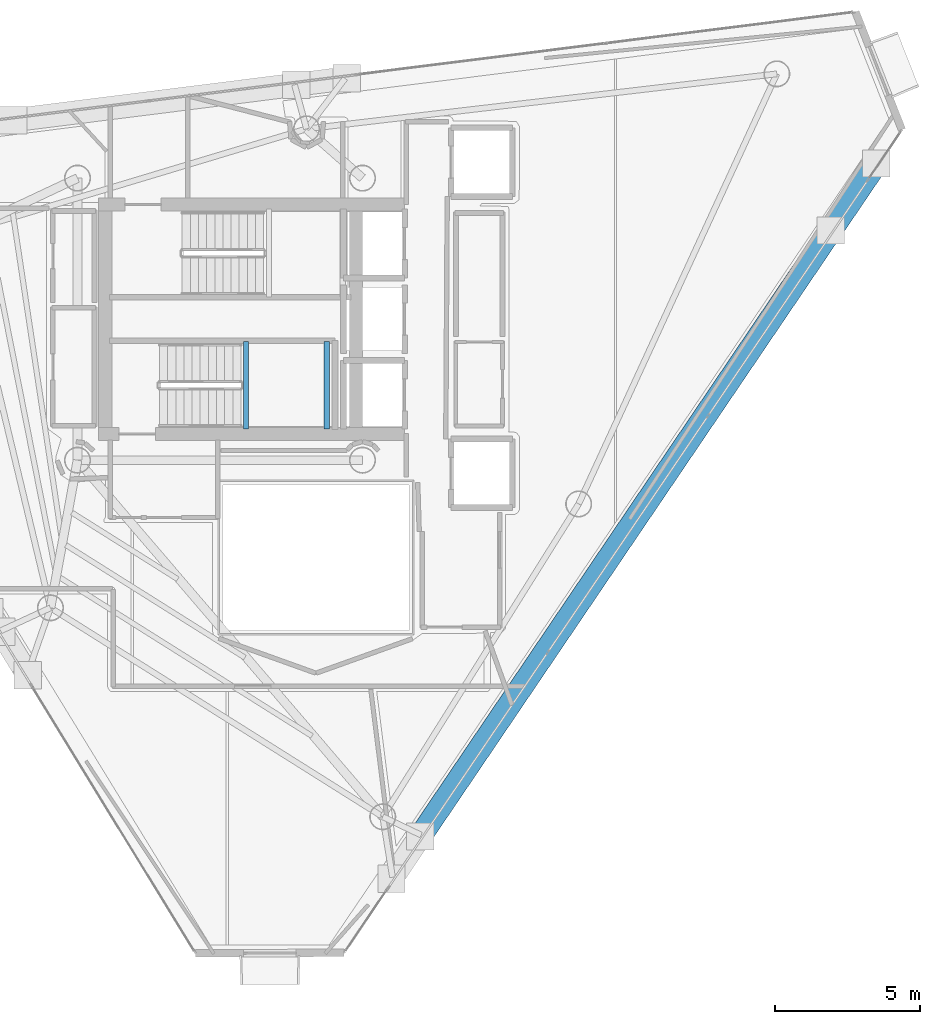
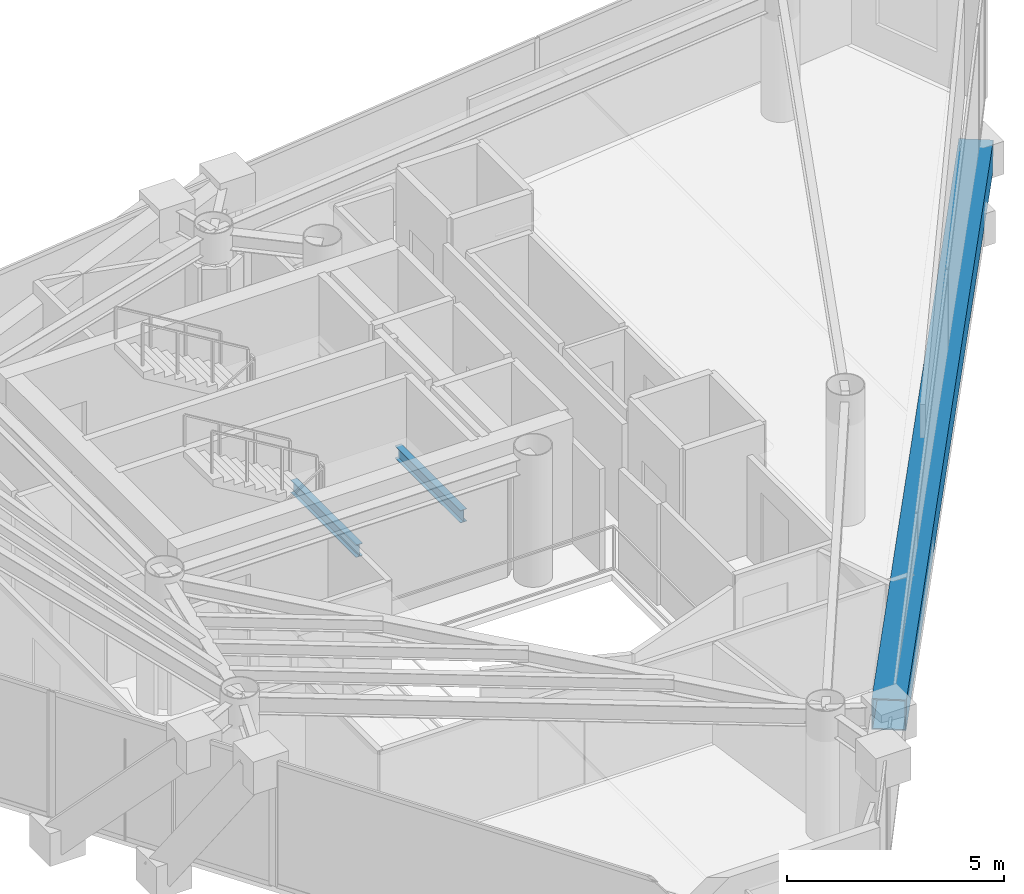
# One storey, part 12 of 23: 2 beams, 1 member.
"""IFC4 building model written with IfcOpenShell, lengths in metres."""

from ifc_helpers import new_model, si_unit, direction, frame, origin, origin_2d, place, context, subcontext, project, spatial, hollow_rectangle, i_section, extrude, material, material_profile, profile_set, type_object, element, save


model = new_model("IFC4")

# Units and contexts
model_context = context("Model", 3, precision=1e-05, world=origin(), true_north=direction((0.0, 1.0)))
body_context = subcontext(model_context, "Body", "Model", "MODEL_VIEW")
ifc_project = project(units=[si_unit("LENGTHUNIT", "METRE"), si_unit("AREAUNIT", "SQUARE_METRE"), si_unit("VOLUMEUNIT", "CUBIC_METRE"), si_unit("PLANEANGLEUNIT", "RADIAN"), si_unit("MASSUNIT", "GRAM", prefix="KILO")], contexts=[model_context])

# Site, building, storey
site_placement = place(None, origin())
site = spatial("IfcSite", under=ifc_project, at=site_placement, CompositionType="ELEMENT")
building_placement = place(site_placement, origin())
building = spatial("IfcBuilding", under=site, at=building_placement, Name="Qianvela Tower", CompositionType="ELEMENT")
storey_placement = place(building_placement, frame((0.0, 0.0, 284.300048828125)))
storey = spatial("IfcBuildingStorey", under=building, at=storey_placement, Name="L73", CompositionType="ELEMENT", Elevation=284.300048828125)

# Beams
ifc_material_1 = material(Name="Steel Q355B", Category="steel")
ifc_material_profile_1 = material_profile(ifc_material_1, i_section(OverallWidth=0.175048828125, OverallDepth=0.35009765625, WebThickness=0.007080078125, FlangeThickness=0.010986328125, at=origin_2d()), Name="HN350x175x7x11")
ifc_profile_set_1 = profile_set([ifc_material_profile_1], Name="Steel Q355B")
beam_type = type_object("IfcBeamType", Name="BM-HN350-JOIST", PredefinedType="JOIST", material=ifc_profile_set_1)
for number, where, z_axis, x_axis, name in (
    (1, (34.39990234375, 24.919921875, 1.474853515625), (0.0, 1.0, 0.0), (-1.0, 0.0, 0.0), "L73 Stair ST-2 Landing Support Beam 1.1"),
    (2, (37.169921875, 24.919921875, 1.474853515625), (0.0, 1.0, 0.0), (-1.0, 0.0, 0.0), "L73 Stair ST-2 Landing Support Beam 1.2"),
):
    element("IfcBeam", number, at=place(storey_placement, frame(where, z_axis=z_axis, x_axis=x_axis)), inside=storey, type_object=beam_type, Name=name, PredefinedType="JOIST", context=body_context, shape_type="SweptSolid", body=[
        extrude(i_section(OverallWidth=0.175048828125, OverallDepth=0.35009765625, WebThickness=0.007080078125, FlangeThickness=0.010986328125, at=origin_2d()), origin(), (0.0, 0.0, 1.0), 3.02001953125),
    ])

# Member
ifc_material_2 = material(Name="Steel Q420GJC", Category="steel")
ifc_material_profile_2 = material_profile(ifc_material_2, hollow_rectangle(XDim=0.800048828125, YDim=0.800048828125, WallThickness=0.028076171875, at=origin_2d()), Name="MBOX-800x800x28")
ifc_profile_set_2 = profile_set([ifc_material_profile_2], Name="Steel Q420GJC")
member_type = type_object("IfcMemberType", Name="MBR-MBRACE-800", PredefinedType="BRACE", material=ifc_profile_set_2)
member_placement = place(storey_placement, frame((56.0341796875, 34.0029296875, -0.48193359375), z_axis=(-0.556142215661, -0.820577315531, 0.131752439048), x_axis=(0.827793479932, -0.561032935381, 0.0)))
element("IfcMember", 3, at=member_placement, inside=storey, type_object=member_type, Name="L73 Tier 12 Exterior Mega-Brace F3B", PredefinedType="BRACE", context=body_context, shape_type="SweptSolid", body=[
    extrude(hollow_rectangle(XDim=0.800048828125, YDim=0.800048828125, WallThickness=0.028076171875, at=origin_2d()), origin(), (0.0, 0.0, 1.0), 28.08251953125),
])

save(model, "model.ifc")
